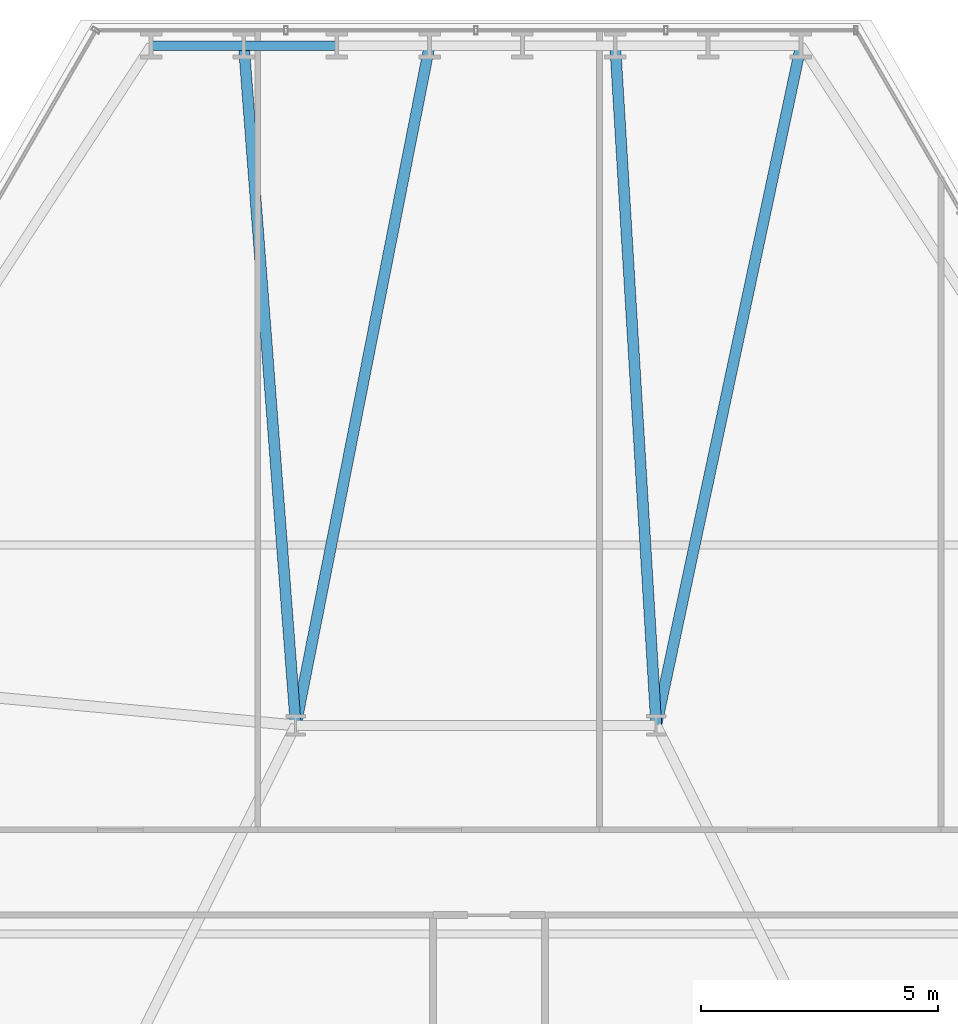
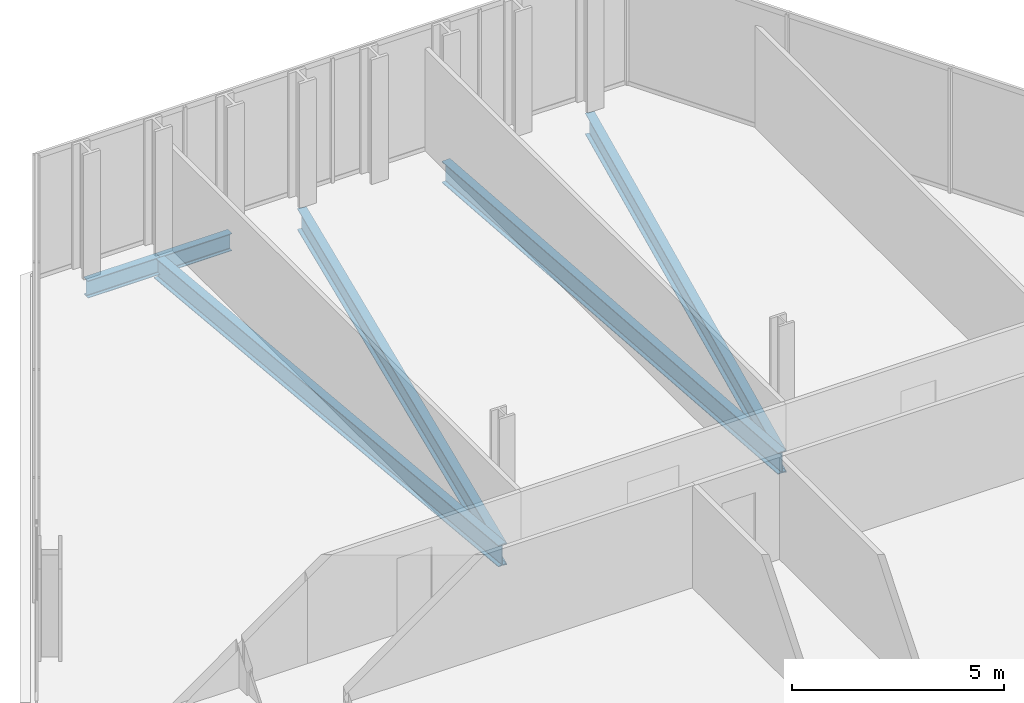
# One storey, part 21 of 32: 6 beams.
"""IFC4 building model written with IfcOpenShell, lengths in metres."""

from ifc_helpers import new_model, si_unit, direction, frame, origin, origin_2d, place, context, subcontext, project, spatial, i_section, extrude, material, material_profile, profile_set, type_object, element, save


model = new_model("IFC4")

# Units and contexts
model_context = context("Model", 3, precision=1e-05, world=origin(), true_north=direction((0.0, 1.0)))
body_context = subcontext(model_context, "Body", "Model", "MODEL_VIEW")
ifc_project = project(units=[si_unit("LENGTHUNIT", "METRE"), si_unit("AREAUNIT", "SQUARE_METRE"), si_unit("VOLUMEUNIT", "CUBIC_METRE"), si_unit("PLANEANGLEUNIT", "RADIAN"), si_unit("MASSUNIT", "GRAM", prefix="KILO")], contexts=[model_context])

# Site, building, storey
site_placement = place(None, origin())
site = spatial("IfcSite", under=ifc_project, at=site_placement, CompositionType="ELEMENT")
building_placement = place(site_placement, origin())
building = spatial("IfcBuilding", under=site, at=building_placement, Name="Ndaravel Arena Tower", CompositionType="ELEMENT")
storey_placement = place(building_placement, frame((0.0, 0.0, 47.39990234375)))
storey = spatial("IfcBuildingStorey", under=building, at=storey_placement, Name="L09", CompositionType="ELEMENT", Elevation=47.39990234375)

# Beams
ifc_material_1 = material(Name="Steel S355", Category="steel")
ifc_material_profile_1 = material_profile(ifc_material_1, i_section(OverallWidth=0.230224609375, OverallDepth=0.6171875, WebThickness=0.01318359375, FlangeThickness=0.022216796875, FilletRadius=0.0126953125, at=origin_2d()), Name="UB 610x229x140")
ifc_profile_set_1 = profile_set([ifc_material_profile_1], Name="Steel S355")
beam_type_1 = type_object("IfcBeamType", Name="BM-GIRD-UB610B", PredefinedType="BEAM", material=ifc_profile_set_1)
beam_1_placement = place(storey_placement, frame((48.85009765625, 45.531494140625, -0.528564453125), z_axis=(-0.208158857039, -0.978095031291, 0.0), x_axis=(0.978095031291, -0.208158857039, 0.0)))
element("IfcBeam", 1, at=beam_1_placement, inside=storey, type_object=beam_type_1, Name="L09 Radial Floor Girder FG-11", PredefinedType="BEAM", context=body_context, shape_type="SweptSolid", body=[
    extrude(i_section(OverallWidth=0.230224609375, OverallDepth=0.6171875, WebThickness=0.01318359375, FlangeThickness=0.022216796875, FilletRadius=0.0126953125, at=origin_2d()), origin(), (0.0, 0.0, 1.0), 14.652587890625),
])
beam_2_placement = place(storey_placement, frame((44.935791015625, 45.531494140625, -0.528564453125), z_axis=(0.060195234309, -0.998186622715, 0.0), x_axis=(0.998186622715, 0.060195234309, 0.0)))
element("IfcBeam", 2, at=beam_2_placement, inside=storey, type_object=beam_type_1, Name="L09 Radial Floor Girder FG-13", PredefinedType="BEAM", context=body_context, shape_type="SweptSolid", body=[
    extrude(i_section(OverallWidth=0.230224609375, OverallDepth=0.6171875, WebThickness=0.01318359375, FlangeThickness=0.022216796875, FilletRadius=0.0126953125, at=origin_2d()), origin(), (0.0, 0.0, 1.0), 14.357666015625),
])
beam_3_placement = place(storey_placement, frame((41.021484375, 45.531494140625, -0.528564453125), z_axis=(-0.193167737889, -0.981165747995, 0.0), x_axis=(0.981165747995, -0.193167737889, 0.0)))
element("IfcBeam", 3, at=beam_3_placement, inside=storey, type_object=beam_type_1, Name="L09 Radial Floor Girder FG-15", PredefinedType="BEAM", context=body_context, shape_type="SweptSolid", body=[
    extrude(i_section(OverallWidth=0.230224609375, OverallDepth=0.6171875, WebThickness=0.01318359375, FlangeThickness=0.022216796875, FilletRadius=0.0126953125, at=origin_2d()), origin(), (0.0, 0.0, 1.0), 14.606689453125),
])
beam_4_placement = place(storey_placement, frame((37.107177734375, 45.531494140625, -0.528564453125), z_axis=(0.07602883636, -0.997105619301, 0.0), x_axis=(0.997105619301, 0.07602883636, 0.0)))
element("IfcBeam", 4, at=beam_4_placement, inside=storey, type_object=beam_type_1, Name="L09 Radial Floor Girder FG-17", PredefinedType="BEAM", context=body_context, shape_type="SweptSolid", body=[
    extrude(i_section(OverallWidth=0.230224609375, OverallDepth=0.6171875, WebThickness=0.01318359375, FlangeThickness=0.022216796875, FilletRadius=0.0126953125, at=origin_2d()), origin(), (0.0, 0.0, 1.0), 14.373046875),
])
ifc_material_2 = material(Name="Steel S355", Category="steel")
ifc_material_profile_2 = material_profile(ifc_material_2, i_section(OverallWidth=0.199951171875, OverallDepth=0.5, WebThickness=0.01025390625, FlangeThickness=0.01611328125, FilletRadius=0.02099609375, at=origin_2d()), Name="IPE 500")
ifc_profile_set_2 = profile_set([ifc_material_profile_2], Name="Steel S355")
beam_type_2 = type_object("IfcBeamType", Name="BM-SPAN-IPE500", PredefinedType="SPANDREL", material=ifc_profile_set_2)
beam_5_placement = place(storey_placement, frame((39.064208984375, 45.531494140625, -0.469970703125), z_axis=(-1.0, 0.0, 0.0), x_axis=(0.0, -1.0, 0.0)))
element("IfcBeam", 5, at=beam_5_placement, inside=storey, type_object=beam_type_2, Name="L09 Perimeter Spandrel Beam SP-16", PredefinedType="SPANDREL", context=body_context, shape_type="SweptSolid", body=[
    extrude(i_section(OverallWidth=0.199951171875, OverallDepth=0.5, WebThickness=0.01025390625, FlangeThickness=0.01611328125, FilletRadius=0.02099609375, at=origin_2d()), origin(), (0.0, 0.0, 1.0), 1.95703125),
])
beam_6_placement = place(storey_placement, frame((37.107177734375, 45.531494140625, -0.469970703125), z_axis=(-1.0, 0.0, 0.0), x_axis=(0.0, -1.0, 0.0)))
element("IfcBeam", 6, at=beam_6_placement, inside=storey, type_object=beam_type_2, Name="L09 Perimeter Spandrel Beam SP-17", PredefinedType="SPANDREL", context=body_context, shape_type="SweptSolid", body=[
    extrude(i_section(OverallWidth=0.199951171875, OverallDepth=0.5, WebThickness=0.01025390625, FlangeThickness=0.01611328125, FilletRadius=0.02099609375, at=origin_2d()), origin(), (0.0, 0.0, 1.0), 1.957275390625),
])

save(model, "model.ifc")
